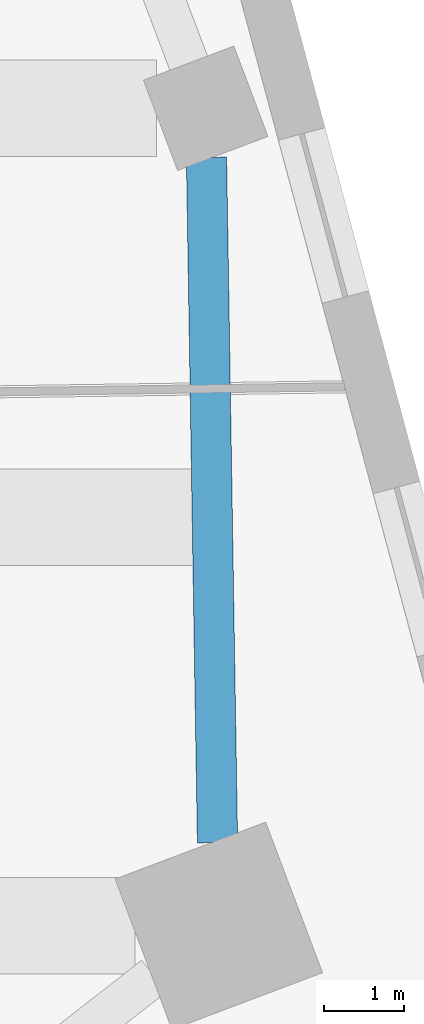
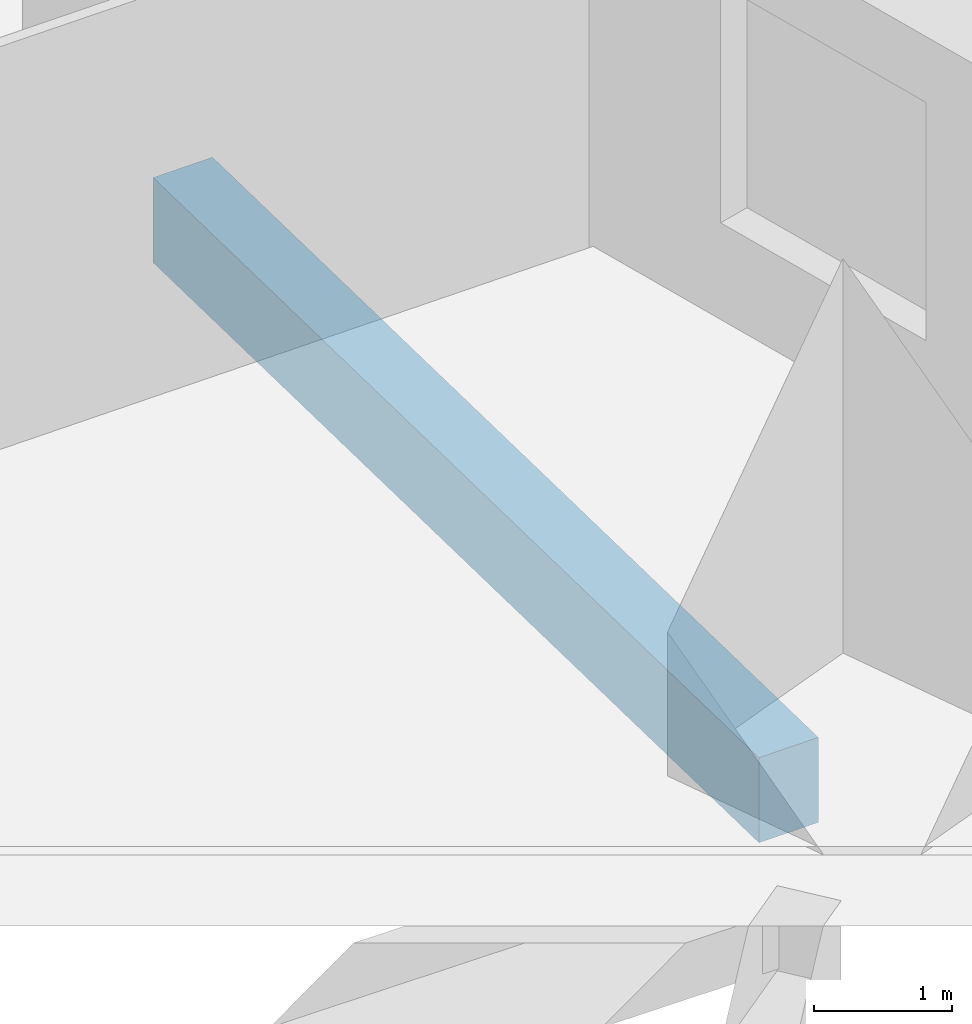
# One storey, part 3 of 13: 1 beam.
"""IFC4 building model written with IfcOpenShell, lengths in metres."""

from ifc_helpers import new_model, si_unit, direction, frame, origin, origin_2d, place, context, subcontext, project, spatial, rectangle, extrude, material, material_profile, profile_set, type_object, element, save


model = new_model("IFC4")

# Units and contexts
model_context = context("Model", 3, precision=1e-05, world=origin(), true_north=direction((0.0, 1.0)))
body_context = subcontext(model_context, "Body", "Model", "MODEL_VIEW")
ifc_project = project(units=[si_unit("LENGTHUNIT", "METRE"), si_unit("AREAUNIT", "SQUARE_METRE"), si_unit("VOLUMEUNIT", "CUBIC_METRE"), si_unit("PLANEANGLEUNIT", "RADIAN"), si_unit("MASSUNIT", "GRAM", prefix="KILO")], contexts=[model_context])

# Site, building, storey
site_placement = place(None, origin())
site = spatial("IfcSite", under=ifc_project, at=site_placement, CompositionType="ELEMENT")
building_placement = place(site_placement, origin())
building = spatial("IfcBuilding", under=site, at=building_placement, Name="Dilmun Exchange Tower", CompositionType="ELEMENT")
storey_placement = place(building_placement, frame((0.0, 0.0, 86.10009765625)))
storey = spatial("IfcBuildingStorey", under=building, at=storey_placement, Name="L19", CompositionType="ELEMENT", Elevation=86.10009765625)

# Beam
ifc_material = material(Name="Concrete C40/50", Category="concrete")
ifc_material_profile = material_profile(ifc_material, rectangle(XDim=0.5, YDim=0.75, at=origin_2d()), Name="500 x 750")
ifc_profile_set = profile_set([ifc_material_profile], Name="Concrete C40/50")
beam_type = type_object("IfcBeamType", Name="RC ring beam 500 x 750 C40/50", PredefinedType="SPANDREL", material=ifc_profile_set)
beam_placement = place(storey_placement, frame((30.37744140625, -11.33544921875, -0.795166015625), z_axis=(-0.016054357527, 0.999871120497, 0.0), x_axis=(-0.999871120497, -0.016054357527, 0.0)))
element("IfcBeam", 1, at=beam_placement, inside=storey, type_object=beam_type, Name="Ring beam 13", PredefinedType="SPANDREL", context=body_context, shape_type="SweptSolid", body=[
    extrude(rectangle(XDim=0.5, YDim=0.75, at=origin_2d()), origin(), (0.0, 0.0, 1.0), 8.515869140625),
])

save(model, "model.ifc")
